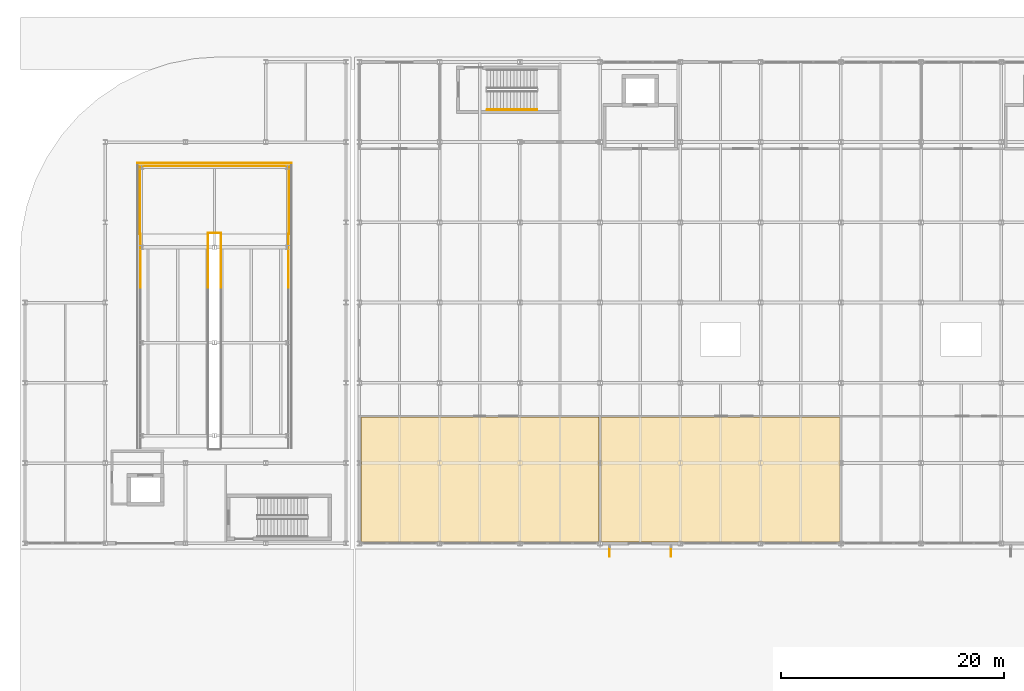
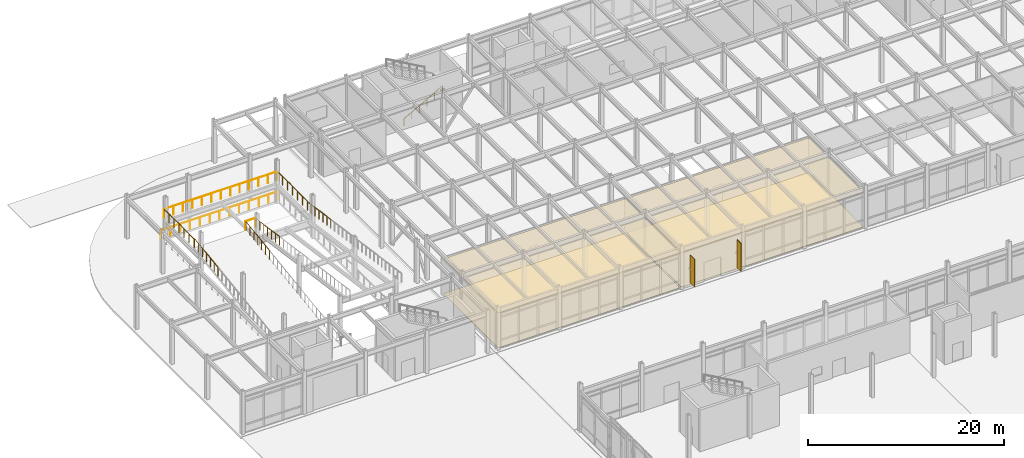
# One storey, part 90 of 104: 10 railings, 4 coverings, 2 shading devices.
"""IFC4 building model written with IfcOpenShell, lengths in metres."""

from ifc_helpers import new_model, si_unit, direction, frame, origin, origin_2d, place, context, subcontext, project, spatial, polyline, rectangle, circle, outline, extrude, material, layer, layer_set, type_object, element, save


model = new_model("IFC4")

# Units and contexts
model_context = context("Model", 3, precision=1e-05, world=origin(), true_north=direction((0.0, 1.0)))
body_context = subcontext(model_context, "Body", "Model", "MODEL_VIEW")
ifc_project = project(units=[si_unit("LENGTHUNIT", "METRE"), si_unit("AREAUNIT", "SQUARE_METRE"), si_unit("VOLUMEUNIT", "CUBIC_METRE"), si_unit("PLANEANGLEUNIT", "RADIAN"), si_unit("MASSUNIT", "GRAM", prefix="KILO")], contexts=[model_context])

# Site, building, storey
site_placement = place(None, origin())
site = spatial("IfcSite", under=ifc_project, at=site_placement, CompositionType="ELEMENT")
building_placement = place(site_placement, origin())
building = spatial("IfcBuilding", under=site, at=building_placement, Name="Vaelcorin Mobility Hub", CompositionType="ELEMENT")
storey_placement = place(building_placement, origin())
storey = spatial("IfcBuildingStorey", under=building, at=storey_placement, Name="L00", CompositionType="ELEMENT", Elevation=0.0)

# Coverings
ifc_material_1 = material(Name="Perforated acoustic mineral-fibre ceiling tile")
ifc_layer_1 = layer(ifc_material_1, 0.02001953125)
ifc_layer_set_1 = layer_set([ifc_layer_1], Name="Perforated acoustic mineral-fibre ceiling tile")
covering_type_1 = type_object("IfcCoveringType", Name="COV-CEIL-1", PredefinedType="CEILING", material=ifc_layer_set_1)
covering_1_placement = place(storey_placement, frame((0.0, 0.0, 4.306884765625)))
element("IfcCovering", 1, at=covering_1_placement, inside=storey, type_object=covering_type_1, Name="Mobility Service Centre Acoustic Ceiling", PredefinedType="CEILING", context=body_context, shape_type="SweptSolid", body=[
    extrude(outline(polyline([(36.199951171875, 76.93994140625), (36.194091796875, 76.93994140625), (36.18798828125, 76.94091796875), (36.18310546875, 76.943115234375), (36.177001953125, 76.945068359375), (36.172119140625, 76.947021484375), (36.1669921875, 76.949951171875), (36.162109375, 76.9541015625), (36.157958984375, 76.9580078125), (36.154052734375, 76.9619140625), (36.14990234375, 76.967041015625), (36.14697265625, 76.971923828125), (36.14501953125, 76.97705078125), (36.14306640625, 76.98291015625), (36.14111328125, 76.988037109375), (36.139892578125, 76.993896484375), (36.139892578125, 77.0), (36.139892578125, 88.06005859375), (36.139892578125, 88.06591796875), (36.14111328125, 88.072021484375), (36.14306640625, 88.076904296875), (36.14501953125, 88.0830078125), (36.14697265625, 88.087890625), (36.14990234375, 88.093017578125), (36.154052734375, 88.097900390625), (36.157958984375, 88.10205078125), (36.162109375, 88.10595703125), (36.1669921875, 88.110107421875), (36.172119140625, 88.113037109375), (36.177001953125, 88.114990234375), (36.18310546875, 88.116943359375), (36.18798828125, 88.118896484375), (36.194091796875, 88.1201171875), (36.199951171875, 88.1201171875), (57.4599609375, 88.1201171875), (57.466064453125, 88.1201171875), (57.471923828125, 88.118896484375), (57.47705078125, 88.116943359375), (57.48291015625, 88.114990234375), (57.488037109375, 88.113037109375), (57.492919921875, 88.110107421875), (57.498046875, 88.10595703125), (57.501953125, 88.10205078125), (57.506103515625, 88.097900390625), (57.510009765625, 88.093017578125), (57.512939453125, 88.087890625), (57.514892578125, 88.0830078125), (57.51708984375, 88.076904296875), (57.51904296875, 88.072021484375), (57.52001953125, 88.06591796875), (57.52001953125, 88.06005859375), (57.52001953125, 77.0), (57.52001953125, 76.993896484375), (57.51904296875, 76.988037109375), (57.51708984375, 76.98291015625), (57.514892578125, 76.97705078125), (57.512939453125, 76.971923828125), (57.510009765625, 76.967041015625), (57.506103515625, 76.9619140625), (57.501953125, 76.9580078125), (57.498046875, 76.9541015625), (57.492919921875, 76.949951171875), (57.488037109375, 76.947021484375), (57.48291015625, 76.945068359375), (57.47705078125, 76.943115234375), (57.471923828125, 76.94091796875), (57.466064453125, 76.93994140625), (57.4599609375, 76.93994140625), (36.199951171875, 76.93994140625)])), origin(), (0.0, 0.0, 1.0), 0.02001953125),
])
ifc_layer_2 = layer(ifc_material_1, 0.02392578125)
ifc_layer_set_2 = layer_set([ifc_layer_2], Name="Perforated acoustic mineral-fibre ceiling tile")
covering_type_2 = type_object("IfcCoveringType", Name="COV-CEIL-2", PredefinedType="CEILING", material=ifc_layer_set_2)
covering_2_placement = place(storey_placement, frame((0.0, 0.0, 4.306884765625)))
element("IfcCovering", 2, at=covering_2_placement, inside=storey, type_object=covering_type_2, Name="Oasis Courtyard Garden Cafe Acoustic Ceiling", PredefinedType="CEILING", context=body_context, shape_type="SweptSolid", body=[
    extrude(outline(polyline([(57.739990234375, 76.93994140625), (57.73388671875, 76.93994140625), (57.72802734375, 76.94091796875), (57.722900390625, 76.943115234375), (57.717041015625, 76.945068359375), (57.7119140625, 76.947021484375), (57.70703125, 76.949951171875), (57.701904296875, 76.9541015625), (57.697998046875, 76.9580078125), (57.694091796875, 76.9619140625), (57.68994140625, 76.967041015625), (57.68701171875, 76.971923828125), (57.68505859375, 76.97705078125), (57.68310546875, 76.98291015625), (57.680908203125, 76.988037109375), (57.679931640625, 76.993896484375), (57.679931640625, 77.0), (57.679931640625, 88.06005859375), (57.679931640625, 88.06591796875), (57.680908203125, 88.072021484375), (57.68310546875, 88.076904296875), (57.68505859375, 88.0830078125), (57.68701171875, 88.087890625), (57.68994140625, 88.093017578125), (57.694091796875, 88.097900390625), (57.697998046875, 88.10205078125), (57.701904296875, 88.10595703125), (57.70703125, 88.110107421875), (57.7119140625, 88.113037109375), (57.717041015625, 88.114990234375), (57.722900390625, 88.116943359375), (57.72802734375, 88.118896484375), (57.73388671875, 88.1201171875), (57.739990234375, 88.1201171875), (79.06005859375, 88.1201171875), (79.06591796875, 88.1201171875), (79.072021484375, 88.118896484375), (79.076904296875, 88.116943359375), (79.0830078125, 88.114990234375), (79.087890625, 88.113037109375), (79.093017578125, 88.110107421875), (79.097900390625, 88.10595703125), (79.10205078125, 88.10205078125), (79.10595703125, 88.097900390625), (79.110107421875, 88.093017578125), (79.113037109375, 88.087890625), (79.114990234375, 88.0830078125), (79.116943359375, 88.076904296875), (79.118896484375, 88.072021484375), (79.1201171875, 88.06591796875), (79.1201171875, 88.06005859375), (79.1201171875, 77.0), (79.1201171875, 76.993896484375), (79.118896484375, 76.988037109375), (79.116943359375, 76.98291015625), (79.114990234375, 76.97705078125), (79.113037109375, 76.971923828125), (79.110107421875, 76.967041015625), (79.10595703125, 76.9619140625), (79.10205078125, 76.9580078125), (79.097900390625, 76.9541015625), (79.093017578125, 76.949951171875), (79.087890625, 76.947021484375), (79.0830078125, 76.945068359375), (79.076904296875, 76.943115234375), (79.072021484375, 76.94091796875), (79.06591796875, 76.93994140625), (79.06005859375, 76.93994140625), (57.739990234375, 76.93994140625)])), origin(), (0.0, 0.0, 1.0), 0.024169921875),
])
ifc_material_2 = material(Name="Polished epoxy-terrazzo concourse flooring")
ifc_layer_3 = layer(ifc_material_2, 0.01806640625)
ifc_layer_set_3 = layer_set([ifc_layer_3], Name="Polished epoxy-terrazzo concourse flooring")
covering_type_3 = type_object("IfcCoveringType", Name="COV-FLR-1", PredefinedType="FLOORING", material=ifc_layer_set_3)
covering_3_placement = place(storey_placement, origin())
element("IfcCovering", 3, at=covering_3_placement, inside=storey, type_object=covering_type_3, Name="Mobility Service Centre Finish Flooring", PredefinedType="FLOORING", context=body_context, shape_type="SweptSolid", body=[
    extrude(outline(polyline([(36.199951171875, 76.93994140625), (36.194091796875, 76.93994140625), (36.18798828125, 76.94091796875), (36.18310546875, 76.943115234375), (36.177001953125, 76.945068359375), (36.172119140625, 76.947021484375), (36.1669921875, 76.949951171875), (36.162109375, 76.9541015625), (36.157958984375, 76.9580078125), (36.154052734375, 76.9619140625), (36.14990234375, 76.967041015625), (36.14697265625, 76.971923828125), (36.14501953125, 76.97705078125), (36.14306640625, 76.98291015625), (36.14111328125, 76.988037109375), (36.139892578125, 76.993896484375), (36.139892578125, 77.0), (36.139892578125, 88.06005859375), (36.139892578125, 88.06591796875), (36.14111328125, 88.072021484375), (36.14306640625, 88.076904296875), (36.14501953125, 88.0830078125), (36.14697265625, 88.087890625), (36.14990234375, 88.093017578125), (36.154052734375, 88.097900390625), (36.157958984375, 88.10205078125), (36.162109375, 88.10595703125), (36.1669921875, 88.110107421875), (36.172119140625, 88.113037109375), (36.177001953125, 88.114990234375), (36.18310546875, 88.116943359375), (36.18798828125, 88.118896484375), (36.194091796875, 88.1201171875), (36.199951171875, 88.1201171875), (57.4599609375, 88.1201171875), (57.466064453125, 88.1201171875), (57.471923828125, 88.118896484375), (57.47705078125, 88.116943359375), (57.48291015625, 88.114990234375), (57.488037109375, 88.113037109375), (57.492919921875, 88.110107421875), (57.498046875, 88.10595703125), (57.501953125, 88.10205078125), (57.506103515625, 88.097900390625), (57.510009765625, 88.093017578125), (57.512939453125, 88.087890625), (57.514892578125, 88.0830078125), (57.51708984375, 88.076904296875), (57.51904296875, 88.072021484375), (57.52001953125, 88.06591796875), (57.52001953125, 88.06005859375), (57.52001953125, 77.0), (57.52001953125, 76.993896484375), (57.51904296875, 76.988037109375), (57.51708984375, 76.98291015625), (57.514892578125, 76.97705078125), (57.512939453125, 76.971923828125), (57.510009765625, 76.967041015625), (57.506103515625, 76.9619140625), (57.501953125, 76.9580078125), (57.498046875, 76.9541015625), (57.492919921875, 76.949951171875), (57.488037109375, 76.947021484375), (57.48291015625, 76.945068359375), (57.47705078125, 76.943115234375), (57.471923828125, 76.94091796875), (57.466064453125, 76.93994140625), (57.4599609375, 76.93994140625), (36.199951171875, 76.93994140625)])), origin(), (0.0, 0.0, 1.0), 0.01806640625),
])
ifc_layer_4 = layer(ifc_material_2, 0.02587890625)
ifc_layer_set_4 = layer_set([ifc_layer_4], Name="Polished epoxy-terrazzo concourse flooring")
covering_type_4 = type_object("IfcCoveringType", Name="COV-FLR-2", PredefinedType="FLOORING", material=ifc_layer_set_4)
covering_4_placement = place(storey_placement, origin())
element("IfcCovering", 4, at=covering_4_placement, inside=storey, type_object=covering_type_4, Name="Oasis Courtyard Garden Cafe Finish Flooring", PredefinedType="FLOORING", context=body_context, shape_type="SweptSolid", body=[
    extrude(outline(polyline([(57.739990234375, 76.93994140625), (57.73388671875, 76.93994140625), (57.72802734375, 76.94091796875), (57.722900390625, 76.943115234375), (57.717041015625, 76.945068359375), (57.7119140625, 76.947021484375), (57.70703125, 76.949951171875), (57.701904296875, 76.9541015625), (57.697998046875, 76.9580078125), (57.694091796875, 76.9619140625), (57.68994140625, 76.967041015625), (57.68701171875, 76.971923828125), (57.68505859375, 76.97705078125), (57.68310546875, 76.98291015625), (57.680908203125, 76.988037109375), (57.679931640625, 76.993896484375), (57.679931640625, 77.0), (57.679931640625, 88.06005859375), (57.679931640625, 88.06591796875), (57.680908203125, 88.072021484375), (57.68310546875, 88.076904296875), (57.68505859375, 88.0830078125), (57.68701171875, 88.087890625), (57.68994140625, 88.093017578125), (57.694091796875, 88.097900390625), (57.697998046875, 88.10205078125), (57.701904296875, 88.10595703125), (57.70703125, 88.110107421875), (57.7119140625, 88.113037109375), (57.717041015625, 88.114990234375), (57.722900390625, 88.116943359375), (57.72802734375, 88.118896484375), (57.73388671875, 88.1201171875), (57.739990234375, 88.1201171875), (79.06005859375, 88.1201171875), (79.06591796875, 88.1201171875), (79.072021484375, 88.118896484375), (79.076904296875, 88.116943359375), (79.0830078125, 88.114990234375), (79.087890625, 88.113037109375), (79.093017578125, 88.110107421875), (79.097900390625, 88.10595703125), (79.10205078125, 88.10205078125), (79.10595703125, 88.097900390625), (79.110107421875, 88.093017578125), (79.113037109375, 88.087890625), (79.114990234375, 88.0830078125), (79.116943359375, 88.076904296875), (79.118896484375, 88.072021484375), (79.1201171875, 88.06591796875), (79.1201171875, 88.06005859375), (79.1201171875, 77.0), (79.1201171875, 76.993896484375), (79.118896484375, 76.988037109375), (79.116943359375, 76.98291015625), (79.114990234375, 76.97705078125), (79.113037109375, 76.971923828125), (79.110107421875, 76.967041015625), (79.10595703125, 76.9619140625), (79.10205078125, 76.9580078125), (79.097900390625, 76.9541015625), (79.093017578125, 76.949951171875), (79.087890625, 76.947021484375), (79.0830078125, 76.945068359375), (79.076904296875, 76.943115234375), (79.072021484375, 76.94091796875), (79.06591796875, 76.93994140625), (79.06005859375, 76.93994140625), (57.739990234375, 76.93994140625)])), origin(), (0.0, 0.0, 1.0), 0.02587890625),
])

# Railings
ifc_material_3 = material(Name="Galvanised structural steel ASTM A36", Category="steel")
ifc_layer_5 = layer(ifc_material_3, 0.070068359375)
ifc_layer_set_5 = layer_set([ifc_layer_5], Name="Galvanised structural steel ASTM A36")
railing_type_1 = type_object("IfcRailingType", Name="RL-GUARD-1100", PredefinedType="BALUSTRADE", material=ifc_layer_set_5)
railing_1_placement = place(storey_placement, frame((16.080078125, 110.919921875, 0.0)))
element("IfcRailing", 5, at=railing_1_placement, inside=storey, type_object=railing_type_1, Name="L00 Perimeter Guard GR-V2W-L00-WELL-02", PredefinedType="BALUSTRADE", context=body_context, shape_type="SweptSolid", body=[
    extrude(circle(Radius=0.02392578125, at=origin_2d()), frame((0.0, 0.0, 1.076171875), z_axis=(1.0, 0.0, 0.0), x_axis=(0.0, 1.0, 0.0)), (0.0, 0.0, 1.0), 13.83984375),
    extrude(circle(Radius=0.02099609375, at=origin_2d()), origin(), (0.0, 0.0, 1.0), 1.052001953125),
    extrude(circle(Radius=0.02099609375, at=origin_2d()), frame((1.1533203125, 0.0, 0.0)), (0.0, 0.0, 1.0), 1.052001953125),
    extrude(circle(Radius=0.02099609375, at=origin_2d()), frame((2.306640625, 0.0, 0.0)), (0.0, 0.0, 1.0), 1.052001953125),
    extrude(circle(Radius=0.02099609375, at=origin_2d()), frame((3.4599609375, 0.0, 0.0)), (0.0, 0.0, 1.0), 1.052001953125),
    extrude(circle(Radius=0.02099609375, at=origin_2d()), frame((4.61328125, 0.0, 0.0)), (0.0, 0.0, 1.0), 1.052001953125),
    extrude(circle(Radius=0.02099609375, at=origin_2d()), frame((5.7666015625, 0.0, 0.0)), (0.0, 0.0, 1.0), 1.052001953125),
    extrude(circle(Radius=0.02099609375, at=origin_2d()), frame((6.919921875, 0.0, 0.0)), (0.0, 0.0, 1.0), 1.052001953125),
    extrude(circle(Radius=0.02099609375, at=origin_2d()), frame((8.0732421875, 0.0, 0.0)), (0.0, 0.0, 1.0), 1.052001953125),
    extrude(circle(Radius=0.02099609375, at=origin_2d()), frame((9.2265625, 0.0, 0.0)), (0.0, 0.0, 1.0), 1.052001953125),
    extrude(circle(Radius=0.02099609375, at=origin_2d()), frame((10.3798828125, 0.0, 0.0)), (0.0, 0.0, 1.0), 1.052001953125),
    extrude(circle(Radius=0.02099609375, at=origin_2d()), frame((11.533203125, 0.0, 0.0)), (0.0, 0.0, 1.0), 1.052001953125),
    extrude(circle(Radius=0.02099609375, at=origin_2d()), frame((12.6865234375, 0.0, 0.0)), (0.0, 0.0, 1.0), 1.052001953125),
    extrude(circle(Radius=0.02099609375, at=origin_2d()), frame((13.83984375, 0.0, 0.0)), (0.0, 0.0, 1.0), 1.052001953125),
])
for number, where, name in (
    (6, (16.3798828125, 99.7451171875, 2.02490234375), "L00 Ramp Guard GR-V2W-L00-FL1-W-04"),
    (7, (22.419921875, 99.7451171875, 2.02490234375), "L00 Ramp Guard GR-V2W-L00-FL1-E-04"),
):
    element("IfcRailing", number, at=place(storey_placement, frame(where)), inside=storey, type_object=railing_type_1, Name=name, PredefinedType="BALUSTRADE", context=body_context, shape_type="SweptSolid", body=[
        extrude(circle(Radius=0.02392578125, at=origin_2d()), frame((0.0, 0.0, 1.076171875), z_axis=(0.0, 0.990234839535, 0.139409334588), x_axis=(-1.0, 0.0, 0.0)), (0.0, 0.0, 1.0), 4.84228515625),
        extrude(circle(Radius=0.02099609375, at=origin_2d()), origin(), (0.0, 0.0, 1.0), 1.052001953125),
        extrude(circle(Radius=0.02099609375, at=origin_2d()), frame((0.0, 0.799072265625, 0.112548828125)), (0.0, 0.0, 1.0), 1.052001953125),
        extrude(circle(Radius=0.02099609375, at=origin_2d()), frame((0.0, 1.598388671875, 0.22509765625)), (0.0, 0.0, 1.0), 1.052001953125),
        extrude(circle(Radius=0.02099609375, at=origin_2d()), frame((0.0, 2.3974609375, 0.33740234375)), (0.0, 0.0, 1.0), 1.052001953125),
        extrude(circle(Radius=0.02099609375, at=origin_2d()), frame((0.0, 3.196533203125, 0.449951171875)), (0.0, 0.0, 1.0), 1.052001953125),
        extrude(circle(Radius=0.02099609375, at=origin_2d()), frame((0.0, 3.995849609375, 0.5625)), (0.0, 0.0, 1.0), 1.052001953125),
        extrude(circle(Radius=0.02099609375, at=origin_2d()), frame((0.0, 4.794921875, 0.675048828125)), (0.0, 0.0, 1.0), 1.052001953125),
    ])
for number, where, name in (
    (8, (23.580078125, 104.5400390625, 2.699951171875), "L00 Ramp Guard GR-V2W-L00-FL2-W-01"),
    (9, (29.6201171875, 104.5400390625, 2.699951171875), "L00 Ramp Guard GR-V2W-L00-FL2-E-01"),
):
    element("IfcRailing", number, at=place(storey_placement, frame(where)), inside=storey, type_object=railing_type_1, Name=name, PredefinedType="BALUSTRADE", context=body_context, shape_type="SweptSolid", body=[
        extrude(circle(Radius=0.02392578125, at=origin_2d()), frame((0.0, 0.0, 1.076171875), z_axis=(0.0, -0.990234839535, 0.139409334588), x_axis=(1.0, 0.0, 0.0)), (0.0, 0.0, 1.0), 4.84228515625),
        extrude(circle(Radius=0.02099609375, at=origin_2d()), origin(), (0.0, 0.0, 1.0), 1.052001953125),
        extrude(circle(Radius=0.02099609375, at=origin_2d()), frame((0.0, -0.799072265625, 0.112548828125)), (0.0, 0.0, 1.0), 1.052001953125),
        extrude(circle(Radius=0.02099609375, at=origin_2d()), frame((0.0, -1.598388671875, 0.22509765625)), (0.0, 0.0, 1.0), 1.052001953125),
        extrude(circle(Radius=0.02099609375, at=origin_2d()), frame((0.0, -2.3974609375, 0.33740234375)), (0.0, 0.0, 1.0), 1.052001953125),
        extrude(circle(Radius=0.02099609375, at=origin_2d()), frame((0.0, -3.196533203125, 0.449951171875)), (0.0, 0.0, 1.0), 1.052001953125),
        extrude(circle(Radius=0.02099609375, at=origin_2d()), frame((0.0, -3.995849609375, 0.5625)), (0.0, 0.0, 1.0), 1.052001953125),
        extrude(circle(Radius=0.02099609375, at=origin_2d()), frame((0.0, -4.794921875, 0.675048828125)), (0.0, 0.0, 1.0), 1.052001953125),
    ])
railing_2_placement = place(storey_placement, frame((16.330078125, 104.56005859375, 2.699951171875)))
element("IfcRailing", 10, at=railing_2_placement, inside=storey, type_object=railing_type_1, Name="L00 Perimeter Guard GR-V2W-L00-LND-01", PredefinedType="BALUSTRADE", context=body_context, shape_type="SweptSolid", body=[
    extrude(circle(Radius=0.02392578125, at=origin_2d()), frame((0.0, 0.0, 1.076171875), z_axis=(0.0, 1.0, 0.0), x_axis=(-1.0, 0.0, 0.0)), (0.0, 0.0, 1.0), 6.10986328125),
    extrude(circle(Radius=0.02099609375, at=origin_2d()), origin(), (0.0, 0.0, 1.0), 1.052001953125),
    extrude(circle(Radius=0.02099609375, at=origin_2d()), frame((0.0, 1.018310546875, 0.0)), (0.0, 0.0, 1.0), 1.052001953125),
    extrude(circle(Radius=0.02099609375, at=origin_2d()), frame((0.0, 2.03662109375, 0.0)), (0.0, 0.0, 1.0), 1.052001953125),
    extrude(circle(Radius=0.02099609375, at=origin_2d()), frame((0.0, 3.054931640625, 0.0)), (0.0, 0.0, 1.0), 1.052001953125),
    extrude(circle(Radius=0.02099609375, at=origin_2d()), frame((0.0, 4.0732421875, 0.0)), (0.0, 0.0, 1.0), 1.052001953125),
    extrude(circle(Radius=0.02099609375, at=origin_2d()), frame((0.0, 5.091552734375, 0.0)), (0.0, 0.0, 1.0), 1.052001953125),
    extrude(circle(Radius=0.02099609375, at=origin_2d()), frame((0.0, 6.10986328125, 0.0)), (0.0, 0.0, 1.0), 1.052001953125),
])
railing_3_placement = place(storey_placement, frame((16.330078125, 110.669921875, 2.699951171875)))
element("IfcRailing", 11, at=railing_3_placement, inside=storey, type_object=railing_type_1, Name="L00 Perimeter Guard GR-V2W-L00-LND-02", PredefinedType="BALUSTRADE", context=body_context, shape_type="SweptSolid", body=[
    extrude(circle(Radius=0.02392578125, at=origin_2d()), frame((0.0, 0.0, 1.076171875), z_axis=(1.0, 0.0, 0.0), x_axis=(0.0, 1.0, 0.0)), (0.0, 0.0, 1.0), 13.33984375),
    extrude(circle(Radius=0.02099609375, at=origin_2d()), origin(), (0.0, 0.0, 1.0), 1.052001953125),
    extrude(circle(Radius=0.02099609375, at=origin_2d()), frame((1.111572265625, 0.0, 0.0)), (0.0, 0.0, 1.0), 1.052001953125),
    extrude(circle(Radius=0.02099609375, at=origin_2d()), frame((2.223388671875, 0.0, 0.0)), (0.0, 0.0, 1.0), 1.052001953125),
    extrude(circle(Radius=0.02099609375, at=origin_2d()), frame((3.3349609375, 0.0, 0.0)), (0.0, 0.0, 1.0), 1.052001953125),
    extrude(circle(Radius=0.02099609375, at=origin_2d()), frame((4.446533203125, 0.0, 0.0)), (0.0, 0.0, 1.0), 1.052001953125),
    extrude(circle(Radius=0.02099609375, at=origin_2d()), frame((5.558349609375, 0.0, 0.0)), (0.0, 0.0, 1.0), 1.052001953125),
    extrude(circle(Radius=0.02099609375, at=origin_2d()), frame((6.669921875, 0.0, 0.0)), (0.0, 0.0, 1.0), 1.052001953125),
    extrude(circle(Radius=0.02099609375, at=origin_2d()), frame((7.781494140625, 0.0, 0.0)), (0.0, 0.0, 1.0), 1.052001953125),
    extrude(circle(Radius=0.02099609375, at=origin_2d()), frame((8.893310546875, 0.0, 0.0)), (0.0, 0.0, 1.0), 1.052001953125),
    extrude(circle(Radius=0.02099609375, at=origin_2d()), frame((10.0048828125, 0.0, 0.0)), (0.0, 0.0, 1.0), 1.052001953125),
    extrude(circle(Radius=0.02099609375, at=origin_2d()), frame((11.116455078125, 0.0, 0.0)), (0.0, 0.0, 1.0), 1.052001953125),
    extrude(circle(Radius=0.02099609375, at=origin_2d()), frame((12.228271484375, 0.0, 0.0)), (0.0, 0.0, 1.0), 1.052001953125),
    extrude(circle(Radius=0.02099609375, at=origin_2d()), frame((13.33984375, 0.0, 0.0)), (0.0, 0.0, 1.0), 1.052001953125),
])
railing_4_placement = place(storey_placement, frame((29.669921875, 110.669921875, 2.699951171875)))
element("IfcRailing", 12, at=railing_4_placement, inside=storey, type_object=railing_type_1, Name="L00 Perimeter Guard GR-V2W-L00-LND-03", PredefinedType="BALUSTRADE", context=body_context, shape_type="SweptSolid", body=[
    extrude(circle(Radius=0.02392578125, at=origin_2d()), frame((0.0, 0.0, 1.076171875), z_axis=(0.0, -1.0, 0.0), x_axis=(1.0, 0.0, 0.0)), (0.0, 0.0, 1.0), 6.10986328125),
    extrude(circle(Radius=0.02099609375, at=origin_2d()), origin(), (0.0, 0.0, 1.0), 1.052001953125),
    extrude(circle(Radius=0.02099609375, at=origin_2d()), frame((0.0, -1.018310546875, 0.0)), (0.0, 0.0, 1.0), 1.052001953125),
    extrude(circle(Radius=0.02099609375, at=origin_2d()), frame((0.0, -2.03662109375, 0.0)), (0.0, 0.0, 1.0), 1.052001953125),
    extrude(circle(Radius=0.02099609375, at=origin_2d()), frame((0.0, -3.054931640625, 0.0)), (0.0, 0.0, 1.0), 1.052001953125),
    extrude(circle(Radius=0.02099609375, at=origin_2d()), frame((0.0, -4.0732421875, 0.0)), (0.0, 0.0, 1.0), 1.052001953125),
    extrude(circle(Radius=0.02099609375, at=origin_2d()), frame((0.0, -5.091552734375, 0.0)), (0.0, 0.0, 1.0), 1.052001953125),
    extrude(circle(Radius=0.02099609375, at=origin_2d()), frame((0.0, -6.10986328125, 0.0)), (0.0, 0.0, 1.0), 1.052001953125),
])
railing_5_placement = place(storey_placement, frame((22.419921875, 104.639892578125, 2.699951171875)))
element("IfcRailing", 13, at=railing_5_placement, inside=storey, type_object=railing_type_1, Name="L00 Perimeter Guard GR-V2W-L00-LND-MED-01", PredefinedType="BALUSTRADE", context=body_context, shape_type="SweptSolid", body=[
    extrude(circle(Radius=0.02392578125, at=origin_2d()), frame((0.0, 0.0, 1.076171875), z_axis=(1.0, 0.0, 0.0), x_axis=(0.0, 1.0, 0.0)), (0.0, 0.0, 1.0), 1.16015625),
    extrude(circle(Radius=0.02099609375, at=origin_2d()), origin(), (0.0, 0.0, 1.0), 1.052001953125),
    extrude(circle(Radius=0.02099609375, at=origin_2d()), frame((1.16015625, 0.0, 0.0)), (0.0, 0.0, 1.0), 1.052001953125),
])
ifc_material_4 = material(Name="Brushed stainless steel 316L", Category="steel")
ifc_layer_6 = layer(ifc_material_4, 0.048095703125)
ifc_layer_set_6 = layer_set([ifc_layer_6], Name="Brushed stainless steel 316L")
railing_type_2 = type_object("IfcRailingType", Name="RL-STAIR-HR", PredefinedType="HANDRAIL", material=ifc_layer_set_6)
railing_6_placement = place(storey_placement, frame((47.449951171875, 115.699951171875, 0.168701171875)))
element("IfcRailing", 14, at=railing_6_placement, inside=storey, type_object=railing_type_2, Name="L00 ST3 stair handrail 1", PredefinedType="HANDRAIL", context=body_context, shape_type="SweptSolid", body=[
    extrude(circle(Radius=0.02392578125, at=origin_2d()), frame((0.0, 0.0, 0.8759765625), z_axis=(0.871575537125, 0.0, 0.490261239633), x_axis=(0.0, 1.0, 0.0)), (0.0, 0.0, 1.0), 5.1630859375),
    extrude(circle(Radius=0.02099609375, at=origin_2d()), origin(), (0.0, 0.0, 1.0), 0.851806640625),
    extrude(circle(Radius=0.02099609375, at=origin_2d()), frame((0.89990234375, 0.0, 0.50634765625)), (0.0, 0.0, 1.0), 0.851806640625),
    extrude(circle(Radius=0.02099609375, at=origin_2d()), frame((1.800048828125, 0.0, 1.012451171875)), (0.0, 0.0, 1.0), 0.851806640625),
    extrude(circle(Radius=0.02099609375, at=origin_2d()), frame((2.699951171875, 0.0, 1.518798828125)), (0.0, 0.0, 1.0), 0.851806640625),
    extrude(circle(Radius=0.02099609375, at=origin_2d()), frame((3.60009765625, 0.0, 2.02490234375)), (0.0, 0.0, 1.0), 0.851806640625),
    extrude(circle(Radius=0.02099609375, at=origin_2d()), frame((4.5, 0.0, 2.53125)), (0.0, 0.0, 1.0), 0.851806640625),
])

# Shading devices
ifc_material_5 = material(Name="Perforated terracotta-bronze aluminium aerofoil", Category="masonry")
shading_device_type = type_object("IfcShadingDeviceType", Name="SHD-FIN-1", PredefinedType="USERDEFINED", material=ifc_material_5)
for number, where, z_axis, x_axis, name in (
    (15, (58.449951171875, 76.0, 0.60009765625), (0.0, 0.0, 1.0), (1.0, 0.0, 0.0), "Mobility Entry Shading Fin 05"),
    (16, (63.949951171875, 76.0, 0.60009765625), (0.0, 0.0, 1.0), (1.0, 0.0, 0.0), "Mobility Entry Shading Fin 06"),
):
    element("IfcShadingDevice", number, at=place(storey_placement, frame(where, z_axis=z_axis, x_axis=x_axis)), inside=storey, type_object=shading_device_type, Name=name, ObjectType="FIN", PredefinedType="USERDEFINED", context=body_context, shape_type="SweptSolid", body=[
        extrude(rectangle(XDim=0.06494140625, YDim=0.85009765625, at=origin_2d()), origin(), (0.0, 0.0, 1.0), 3.5),
    ])

save(model, "model.ifc")
